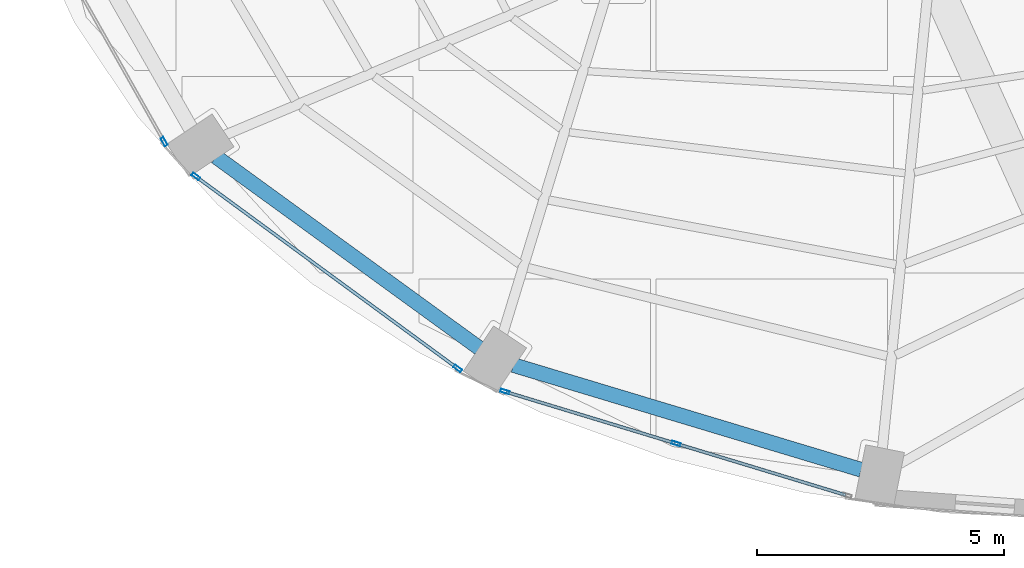
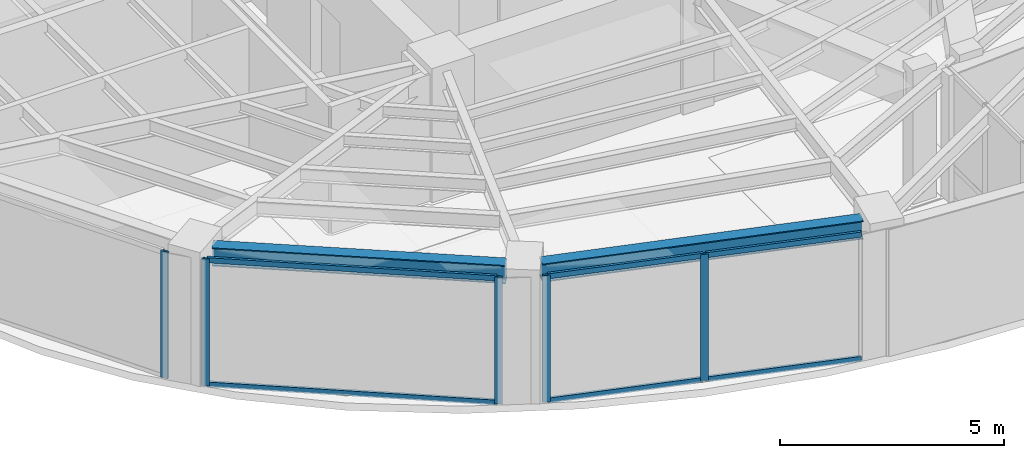
# One storey, part 2 of 23: 11 members, 2 beams, 3 elements without a shape of their own.
"""IFC4 building model written with IfcOpenShell, lengths in metres."""

from ifc_helpers import new_model, si_unit, direction, frame, origin, origin_2d, place, context, subcontext, project, spatial, hollow_rectangle, i_section, extrude, material, layer, layer_set, material_profile, profile_set, type_object, element, aggregate, save


model = new_model("IFC4")

# Units and contexts
model_context = context("Model", 3, precision=1e-05, world=origin(), true_north=direction((0.0, 1.0)))
body_context = subcontext(model_context, "Body", "Model", "MODEL_VIEW")
ifc_project = project(units=[si_unit("LENGTHUNIT", "METRE"), si_unit("AREAUNIT", "SQUARE_METRE"), si_unit("VOLUMEUNIT", "CUBIC_METRE"), si_unit("PLANEANGLEUNIT", "RADIAN"), si_unit("MASSUNIT", "GRAM", prefix="KILO")], contexts=[model_context])

# Site, building, storey
site_placement = place(None, origin())
site = spatial("IfcSite", under=ifc_project, at=site_placement, CompositionType="ELEMENT")
building_placement = place(site_placement, origin())
building = spatial("IfcBuilding", under=site, at=building_placement, Name="Lazwardi Medical Tower", CompositionType="ELEMENT")
storey_placement = place(building_placement, frame((0.0, 0.0, 209.424072265625)))
storey = spatial("IfcBuildingStorey", under=building, at=storey_placement, Name="L54", CompositionType="ELEMENT", Elevation=209.424072265625)

# Beams
ifc_material_1 = material(Name="Steel S355", Category="steel")
ifc_material_profile_1 = material_profile(ifc_material_1, i_section(OverallWidth=0.300048828125, OverallDepth=0.5, WebThickness=0.014404296875, FlangeThickness=0.028076171875, at=origin_2d()), Name="HEB 500")
ifc_profile_set_1 = profile_set([ifc_material_profile_1], Name="Steel S355")
beam_type = type_object("IfcBeamType", Name="BM-RB-Z4", PredefinedType="BEAM", material=ifc_profile_set_1)
beam_1_placement = place(storey_placement, frame((18.355712890625, 16.648193359375, 3.197998046875), z_axis=(0.808889916254, -0.587960120571, 0.0), x_axis=(0.587960120571, 0.808889916254, 0.0)))
element("IfcBeam", 1, at=beam_1_placement, inside=storey, type_object=beam_type, Name="Ring beam RB-05 B14 L54", PredefinedType="BEAM", context=body_context, shape_type="SweptSolid", body=[
    extrude(i_section(OverallWidth=0.300048828125, OverallDepth=0.5, WebThickness=0.014404296875, FlangeThickness=0.028076171875, at=origin_2d()), origin(), (0.0, 0.0, 1.0), 6.587158203125),
])
beam_2_placement = place(storey_placement, frame((24.373046875, 12.43359375, 3.197998046875), z_axis=(0.957544311906, -0.288286126506, 0.0), x_axis=(0.288286126506, 0.957544311906, 0.0)))
element("IfcBeam", 2, at=beam_2_placement, inside=storey, type_object=beam_type, Name="Ring beam RB-05 B15 L54", PredefinedType="BEAM", context=body_context, shape_type="SweptSolid", body=[
    extrude(i_section(OverallWidth=0.300048828125, OverallDepth=0.5, WebThickness=0.014404296875, FlangeThickness=0.028076171875, at=origin_2d()), origin(), (0.0, 0.0, 1.0), 7.3515625),
])

# Curtain wall, member
ifc_material_2 = material(Name="Anodised bronze aluminium and solar control glazing", Category="aluminium")
ifc_layer = layer(ifc_material_2, 0.18994140625)
ifc_layer_set = layer_set([ifc_layer], Name="Anodised bronze aluminium and solar control glazing")
curtain_wall_type = type_object("IfcCurtainWallType", Name="CW-SYS-04", PredefinedType="NOTDEFINED", material=ifc_layer_set)
curtain_wall_1_placement = place(storey_placement, origin())
curtain_wall_1 = element("IfcCurtainWall", 3, at=curtain_wall_1_placement, inside=storey, type_object=curtain_wall_type, Name="L54 Unitised bronze curtain wall CW-04", PredefinedType="NOTDEFINED")
ifc_material_3 = material(Name="Anodised bronze aluminium", Category="aluminium")
ifc_material_profile_2 = material_profile(ifc_material_3, hollow_rectangle(XDim=0.06494140625, YDim=0.179931640625, WallThickness=0.00390625, at=origin_2d()), Name="ALU-MULLION 180x65x4")
ifc_profile_set_2 = profile_set([ifc_material_profile_2], Name="Anodised bronze aluminium")
member_type_1 = type_object("IfcMemberType", Name="CW-MUL-03", PredefinedType="MULLION", material=ifc_profile_set_2)
member_1_placement = place(storey_placement, frame((17.3056640625, 16.95458984375, 0.0), z_axis=(0.0, 0.0, 1.0), x_axis=(0.870651436011, 0.491900474661, 0.0)))
member_1 = element("IfcMember", 4, at=member_1_placement, type_object=member_type_1, Name="CW-04 mullion 2", PredefinedType="MULLION", context=body_context, shape_type="SweptSolid", body=[
    extrude(hollow_rectangle(XDim=0.06494140625, YDim=0.179931640625, WallThickness=0.00390625, at=origin_2d()), origin(), (0.0, 0.0, 1.0), 3.447998046875),
])
aggregate(curtain_wall_1, [member_1])

# Curtain wall, members
curtain_wall_2_placement = place(storey_placement, origin())
curtain_wall_2 = element("IfcCurtainWall", 5, at=curtain_wall_2_placement, inside=storey, type_object=curtain_wall_type, Name="L54 Unitised bronze curtain wall CW-04", PredefinedType="NOTDEFINED")
member_2_placement = place(storey_placement, frame((17.947998046875, 16.248291015625, 0.0), z_axis=(0.0, 0.0, 1.0), x_axis=(0.591268230971, 0.806474971121, 0.0)))
member_2 = element("IfcMember", 6, at=member_2_placement, type_object=member_type_1, Name="CW-04 mullion 1", PredefinedType="MULLION", context=body_context, shape_type="SweptSolid", body=[
    extrude(hollow_rectangle(XDim=0.06494140625, YDim=0.179931640625, WallThickness=0.00390625, at=origin_2d()), origin(), (0.0, 0.0, 1.0), 3.447998046875),
])
member_3_placement = place(storey_placement, frame((23.24462890625, 12.365234375, 0.0), z_axis=(0.0, 0.0, 1.0), x_axis=(0.591268230971, 0.806474971121, 0.0)))
member_3 = element("IfcMember", 7, at=member_3_placement, type_object=member_type_1, Name="CW-04 mullion 2", PredefinedType="MULLION", context=body_context, shape_type="SweptSolid", body=[
    extrude(hollow_rectangle(XDim=0.06494140625, YDim=0.179931640625, WallThickness=0.00390625, at=origin_2d()), origin(), (0.0, 0.0, 1.0), 3.447998046875),
])

curtain_wall_3_placement = place(storey_placement, origin())
curtain_wall_3 = element("IfcCurtainWall", 8, at=curtain_wall_3_placement, inside=storey, type_object=curtain_wall_type, Name="L54 Unitised bronze curtain wall CW-04", PredefinedType="NOTDEFINED")
member_4_placement = place(storey_placement, frame((24.2001953125, 11.896484375, 0.0), z_axis=(0.0, 0.0, 1.0), x_axis=(0.290581889515, 0.956850126972, 0.0)))
member_4 = element("IfcMember", 9, at=member_4_placement, type_object=member_type_1, Name="CW-04 mullion 1", PredefinedType="MULLION", context=body_context, shape_type="SweptSolid", body=[
    extrude(hollow_rectangle(XDim=0.06494140625, YDim=0.179931640625, WallThickness=0.00390625, at=origin_2d()), origin(), (0.0, 0.0, 1.0), 3.447998046875),
])
member_5_placement = place(storey_placement, frame((27.66357421875, 10.8447265625, 0.0), z_axis=(0.0, 0.0, 1.0), x_axis=(0.290581889515, 0.956850126972, 0.0)))
member_5 = element("IfcMember", 10, at=member_5_placement, type_object=member_type_1, Name="CW-04 mullion 2", PredefinedType="MULLION", context=body_context, shape_type="SweptSolid", body=[
    extrude(hollow_rectangle(XDim=0.06494140625, YDim=0.179931640625, WallThickness=0.00390625, at=origin_2d()), origin(), (0.0, 0.0, 1.0), 3.447998046875),
])

# Member
ifc_material_profile_3 = material_profile(ifc_material_3, hollow_rectangle(XDim=0.06494140625, YDim=0.139892578125, WallThickness=0.00341796875, at=origin_2d()), Name="ALU-TRANSOM 140x65x3.5")
ifc_profile_set_3 = profile_set([ifc_material_profile_3], Name="Anodised bronze aluminium")
member_type_2 = type_object("IfcMemberType", Name="CW-TRN-03", PredefinedType="USERDEFINED", material=ifc_profile_set_3)
member_6_placement = place(storey_placement, frame((17.97412109375, 16.229248046875, 0.032470703125), z_axis=(0.806471831148, -0.591272513791, 0.0), x_axis=(0.591272513791, 0.806471831148, 0.0)))
member_6 = element("IfcMember", 11, at=member_6_placement, type_object=member_type_2, Name="CW-04 transom 1.1", ObjectType="TRANSOM", PredefinedType="USERDEFINED", context=body_context, shape_type="SweptSolid", body=[
    extrude(hollow_rectangle(XDim=0.06494140625, YDim=0.139892578125, WallThickness=0.00341796875, at=origin_2d()), origin(), (0.0, 0.0, 1.0), 6.5029296875),
])

member_7_placement = place(storey_placement, frame((17.97412109375, 16.229248046875, 3.41552734375), z_axis=(0.806471831148, -0.591272513791, 0.0), x_axis=(0.591272513791, 0.806471831148, 0.0)))
member_7 = element("IfcMember", 12, at=member_7_placement, type_object=member_type_2, Name="CW-04 transom 1.2", ObjectType="TRANSOM", PredefinedType="USERDEFINED", context=body_context, shape_type="SweptSolid", body=[
    extrude(hollow_rectangle(XDim=0.06494140625, YDim=0.139892578125, WallThickness=0.00341796875, at=origin_2d()), origin(), (0.0, 0.0, 1.0), 6.5029296875),
])

aggregate(curtain_wall_2, [member_2, member_3, member_6, member_7])

member_8_placement = place(storey_placement, frame((24.2314453125, 11.886962890625, 0.032470703125), z_axis=(0.956862505902, -0.290541124109, 0.0), x_axis=(0.290541124109, 0.956862505902, 0.0)))
member_8 = element("IfcMember", 13, at=member_8_placement, type_object=member_type_2, Name="CW-04 transom 1.1", ObjectType="TRANSOM", PredefinedType="USERDEFINED", context=body_context, shape_type="SweptSolid", body=[
    extrude(hollow_rectangle(XDim=0.06494140625, YDim=0.139892578125, WallThickness=0.00341796875, at=origin_2d()), origin(), (0.0, 0.0, 1.0), 3.554443359375),
])

member_9_placement = place(storey_placement, frame((24.2314453125, 11.886962890625, 3.41552734375), z_axis=(0.956862505902, -0.290541124109, 0.0), x_axis=(0.290541124109, 0.956862505902, 0.0)))
member_9 = element("IfcMember", 14, at=member_9_placement, type_object=member_type_2, Name="CW-04 transom 1.2", ObjectType="TRANSOM", PredefinedType="USERDEFINED", context=body_context, shape_type="SweptSolid", body=[
    extrude(hollow_rectangle(XDim=0.06494140625, YDim=0.139892578125, WallThickness=0.00341796875, at=origin_2d()), origin(), (0.0, 0.0, 1.0), 3.554443359375),
])

member_10_placement = place(storey_placement, frame((27.694580078125, 10.835205078125, 0.032470703125), z_axis=(0.956862505902, -0.290541124109, 0.0), x_axis=(0.290541124109, 0.956862505902, 0.0)))
member_10 = element("IfcMember", 15, at=member_10_placement, type_object=member_type_2, Name="CW-04 transom 2.1", ObjectType="TRANSOM", PredefinedType="USERDEFINED", context=body_context, shape_type="SweptSolid", body=[
    extrude(hollow_rectangle(XDim=0.06494140625, YDim=0.139892578125, WallThickness=0.00341796875, at=origin_2d()), origin(), (0.0, 0.0, 1.0), 3.554443359375),
])

member_11_placement = place(storey_placement, frame((27.694580078125, 10.835205078125, 3.41552734375), z_axis=(0.956862505902, -0.290541124109, 0.0), x_axis=(0.290541124109, 0.956862505902, 0.0)))
member_11 = element("IfcMember", 16, at=member_11_placement, type_object=member_type_2, Name="CW-04 transom 2.2", ObjectType="TRANSOM", PredefinedType="USERDEFINED", context=body_context, shape_type="SweptSolid", body=[
    extrude(hollow_rectangle(XDim=0.06494140625, YDim=0.139892578125, WallThickness=0.00341796875, at=origin_2d()), origin(), (0.0, 0.0, 1.0), 3.554443359375),
])

aggregate(curtain_wall_3, [member_4, member_5, member_8, member_9, member_10, member_11])

save(model, "model.ifc")
